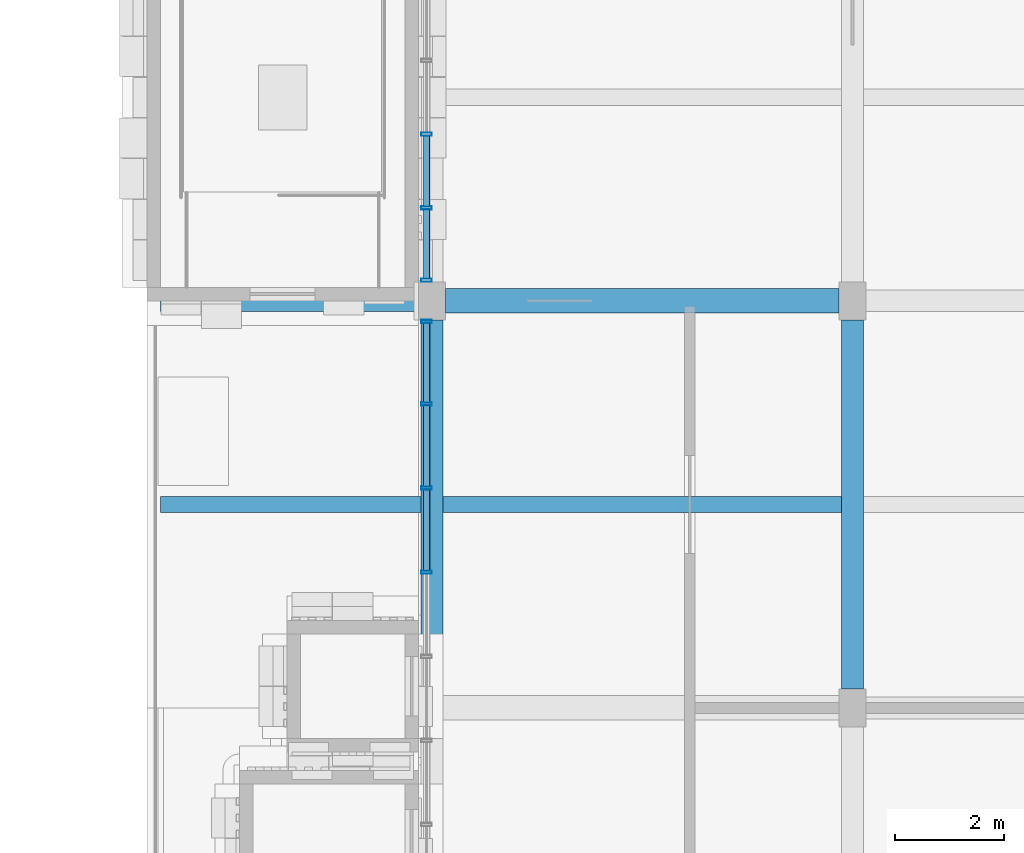
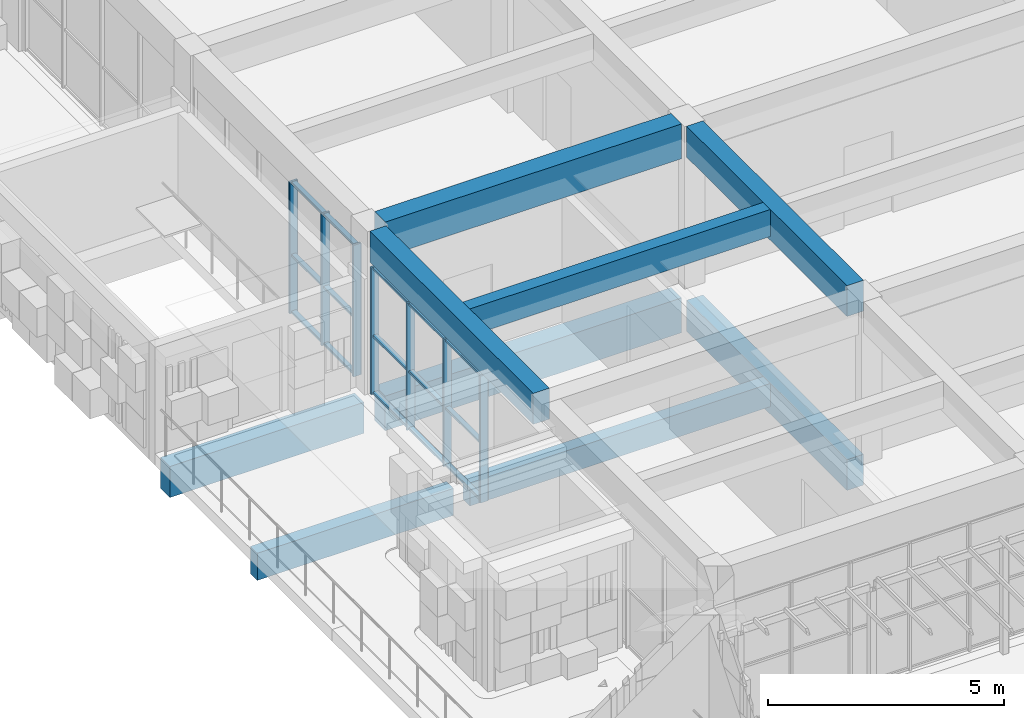
# One storey, part 7 of 26: 22 members, 9 beams, 2 elements without a shape of their own.
"""IFC4 building model written with IfcOpenShell, lengths in metres."""

from ifc_helpers import new_model, si_unit, direction, frame, origin, origin_2d, place, context, subcontext, project, spatial, rectangle, hollow_rectangle, extrude, material, material_profile, profile_set, type_object, element, aggregate, save


model = new_model("IFC4")

# Units and contexts
model_context = context("Model", 3, precision=1e-05, world=origin(), true_north=direction((0.0, 1.0)))
body_context = subcontext(model_context, "Body", "Model", "MODEL_VIEW")
ifc_project = project(units=[si_unit("LENGTHUNIT", "METRE"), si_unit("AREAUNIT", "SQUARE_METRE"), si_unit("VOLUMEUNIT", "CUBIC_METRE"), si_unit("PLANEANGLEUNIT", "RADIAN"), si_unit("MASSUNIT", "GRAM", prefix="KILO")], contexts=[model_context])

# Site, building, storey
site_placement = place(None, origin())
site = spatial("IfcSite", under=ifc_project, at=site_placement, CompositionType="ELEMENT")
building_placement = place(site_placement, origin())
building = spatial("IfcBuilding", under=site, at=building_placement, Name="Sun Court Science Centre", CompositionType="ELEMENT")
storey_placement = place(building_placement, frame((0.0, 0.0, 29.25)))
storey = spatial("IfcBuildingStorey", under=building, at=storey_placement, Name="L06", CompositionType="ELEMENT", Elevation=29.25)

# Curtain wall, members
ifc_material_1 = material(Name="Aluminium EN AW-6063 T6", Category="aluminium")
curtain_wall_type = type_object("IfcCurtainWallType", Name="Laboratory tall bay curtain wall 1500", PredefinedType="NOTDEFINED", material=ifc_material_1)
curtain_wall_1_placement = place(storey_placement, origin())
curtain_wall_1 = element("IfcCurtainWall", 1, at=curtain_wall_1_placement, inside=storey, type_object=curtain_wall_type, Name="Curtain wall V4 PW L06 01", PredefinedType="NOTDEFINED")
ifc_material_2 = material(Name="Aluminium EN AW-6063 T6", Category="aluminium")
ifc_material_profile_1 = material_profile(ifc_material_2, hollow_rectangle(XDim=0.06005859375, YDim=0.199951171875, WallThickness=0.0048828125, InnerFilletRadius=0.0048828125, OuterFilletRadius=0.007568359375, at=origin_2d()), Name="AL 60x200x5")
ifc_profile_set_1 = profile_set([ifc_material_profile_1], Name="Aluminium EN AW-6063 T6")
member_type_1 = type_object("IfcMemberType", Name="Curtain wall mullion AL 60x200", PredefinedType="MULLION", material=ifc_profile_set_1)
member_1_placement = place(storey_placement, frame((87.14990234375, 53.5, 0.0), z_axis=(0.0, 0.0, 1.0), x_axis=(0.0, 1.0, 0.0)))
member_1 = element("IfcMember", 2, at=member_1_placement, type_object=member_type_1, Name="CW2-78 mullion 7", PredefinedType="MULLION", context=body_context, shape_type="SweptSolid", body=[
    extrude(hollow_rectangle(XDim=0.06005859375, YDim=0.199951171875, WallThickness=0.0048828125, InnerFilletRadius=0.0048828125, OuterFilletRadius=0.007568359375, at=origin_2d()), origin(), (0.0, 0.0, 1.0), 3.280029296875),
])
member_2_placement = place(storey_placement, frame((87.14990234375, 55.050048828125, 0.0), z_axis=(0.0, 0.0, 1.0), x_axis=(0.0, 1.0, 0.0)))
member_2 = element("IfcMember", 3, at=member_2_placement, type_object=member_type_1, Name="CW2-78 mullion 8", PredefinedType="MULLION", context=body_context, shape_type="SweptSolid", body=[
    extrude(hollow_rectangle(XDim=0.06005859375, YDim=0.199951171875, WallThickness=0.0048828125, InnerFilletRadius=0.0048828125, OuterFilletRadius=0.007568359375, at=origin_2d()), origin(), (0.0, 0.0, 1.0), 3.280029296875),
])
member_3_placement = place(storey_placement, frame((87.14990234375, 56.60009765625, 0.0), z_axis=(0.0, 0.0, 1.0), x_axis=(0.0, 1.0, 0.0)))
member_3 = element("IfcMember", 4, at=member_3_placement, type_object=member_type_1, Name="CW2-78 mullion 9", PredefinedType="MULLION", context=body_context, shape_type="SweptSolid", body=[
    extrude(hollow_rectangle(XDim=0.06005859375, YDim=0.199951171875, WallThickness=0.0048828125, InnerFilletRadius=0.0048828125, OuterFilletRadius=0.007568359375, at=origin_2d()), origin(), (0.0, 0.0, 1.0), 3.280029296875),
])
member_4_placement = place(storey_placement, frame((87.14990234375, 58.1201171875, 0.0), z_axis=(0.0, 0.0, 1.0), x_axis=(0.0, 1.0, 0.0)))
member_4 = element("IfcMember", 5, at=member_4_placement, type_object=member_type_1, Name="CW2-78 mullion 10", PredefinedType="MULLION", context=body_context, shape_type="SweptSolid", body=[
    extrude(hollow_rectangle(XDim=0.06005859375, YDim=0.199951171875, WallThickness=0.0048828125, InnerFilletRadius=0.0048828125, OuterFilletRadius=0.007568359375, at=origin_2d()), origin(), (0.0, 0.0, 1.0), 3.280029296875),
])

curtain_wall_2_placement = place(storey_placement, origin())
curtain_wall_2 = element("IfcCurtainWall", 6, at=curtain_wall_2_placement, inside=storey, type_object=curtain_wall_type, Name="Curtain wall V4 PW L06 02", PredefinedType="NOTDEFINED")
member_5_placement = place(storey_placement, frame((87.14990234375, 58.8798828125, 0.0), z_axis=(0.0, 0.0, 1.0), x_axis=(0.0, 1.0, 0.0)))
member_5 = element("IfcMember", 7, at=member_5_placement, type_object=member_type_1, Name="CW2-79 mullion 1", PredefinedType="MULLION", context=body_context, shape_type="SweptSolid", body=[
    extrude(hollow_rectangle(XDim=0.06005859375, YDim=0.199951171875, WallThickness=0.0048828125, InnerFilletRadius=0.0048828125, OuterFilletRadius=0.007568359375, at=origin_2d()), origin(), (0.0, 0.0, 1.0), 3.39990234375),
])
member_6_placement = place(storey_placement, frame((87.14990234375, 60.2099609375, 0.0), z_axis=(0.0, 0.0, 1.0), x_axis=(0.0, 1.0, 0.0)))
member_6 = element("IfcMember", 8, at=member_6_placement, type_object=member_type_1, Name="CW2-79 mullion 2", PredefinedType="MULLION", context=body_context, shape_type="SweptSolid", body=[
    extrude(hollow_rectangle(XDim=0.06005859375, YDim=0.199951171875, WallThickness=0.0048828125, InnerFilletRadius=0.0048828125, OuterFilletRadius=0.007568359375, at=origin_2d()), origin(), (0.0, 0.0, 1.0), 3.39990234375),
])
member_7_placement = place(storey_placement, frame((87.14990234375, 61.570068359375, 0.0), z_axis=(0.0, 0.0, 1.0), x_axis=(0.0, 1.0, 0.0)))
member_7 = element("IfcMember", 9, at=member_7_placement, type_object=member_type_1, Name="CW2-79 mullion 3", PredefinedType="MULLION", context=body_context, shape_type="SweptSolid", body=[
    extrude(hollow_rectangle(XDim=0.06005859375, YDim=0.199951171875, WallThickness=0.0048828125, InnerFilletRadius=0.0048828125, OuterFilletRadius=0.007568359375, at=origin_2d()), origin(), (0.0, 0.0, 1.0), 3.39990234375),
])

# Member
ifc_material_3 = material(Name="Aluminium EN AW-6063 T6", Category="aluminium")
ifc_material_profile_2 = material_profile(ifc_material_3, hollow_rectangle(XDim=0.06005859375, YDim=0.1201171875, WallThickness=0.00390625, InnerFilletRadius=0.00390625, OuterFilletRadius=0.006103515625, at=origin_2d()), Name="AL 60x120x4")
ifc_profile_set_2 = profile_set([ifc_material_profile_2], Name="Aluminium EN AW-6063 T6")
member_type_2 = type_object("IfcMemberType", Name="Curtain wall transom AL 60x120", PredefinedType="USERDEFINED", material=ifc_profile_set_2)
member_8_placement = place(storey_placement, frame((87.14990234375, 53.530029296875, 0.030029296875), z_axis=(0.0, 1.0, 0.0), x_axis=(0.0, 0.0, 1.0)))
member_8 = element("IfcMember", 10, at=member_8_placement, type_object=member_type_2, Name="CW2-78 transom 7.1", ObjectType="TRANSOM", PredefinedType="USERDEFINED", context=body_context, shape_type="SweptSolid", body=[
    extrude(hollow_rectangle(XDim=0.06005859375, YDim=0.1201171875, WallThickness=0.00390625, InnerFilletRadius=0.00390625, OuterFilletRadius=0.006103515625, at=origin_2d()), origin(), (0.0, 0.0, 1.0), 1.489990234375),
])

member_9_placement = place(storey_placement, frame((87.14990234375, 55.080078125, 0.030029296875), z_axis=(0.0, 1.0, 0.0), x_axis=(0.0, 0.0, 1.0)))
member_9 = element("IfcMember", 11, at=member_9_placement, type_object=member_type_2, Name="CW2-78 transom 8.1", ObjectType="TRANSOM", PredefinedType="USERDEFINED", context=body_context, shape_type="SweptSolid", body=[
    extrude(hollow_rectangle(XDim=0.06005859375, YDim=0.1201171875, WallThickness=0.00390625, InnerFilletRadius=0.00390625, OuterFilletRadius=0.006103515625, at=origin_2d()), origin(), (0.0, 0.0, 1.0), 1.489990234375),
])

member_10_placement = place(storey_placement, frame((87.14990234375, 56.6298828125, 0.030029296875), z_axis=(0.0, 1.0, 0.0), x_axis=(0.0, 0.0, 1.0)))
member_10 = element("IfcMember", 12, at=member_10_placement, type_object=member_type_2, Name="CW2-78 transom 9.1", ObjectType="TRANSOM", PredefinedType="USERDEFINED", context=body_context, shape_type="SweptSolid", body=[
    extrude(hollow_rectangle(XDim=0.06005859375, YDim=0.1201171875, WallThickness=0.00390625, InnerFilletRadius=0.00390625, OuterFilletRadius=0.006103515625, at=origin_2d()), origin(), (0.0, 0.0, 1.0), 1.460205078125),
])

member_11_placement = place(storey_placement, frame((87.14990234375, 53.530029296875, 1.5), z_axis=(0.0, 1.0, 0.0), x_axis=(0.0, 0.0, 1.0)))
member_11 = element("IfcMember", 13, at=member_11_placement, type_object=member_type_2, Name="CW2-78 transom 7.2", ObjectType="TRANSOM", PredefinedType="USERDEFINED", context=body_context, shape_type="SweptSolid", body=[
    extrude(hollow_rectangle(XDim=0.06005859375, YDim=0.1201171875, WallThickness=0.00390625, InnerFilletRadius=0.00390625, OuterFilletRadius=0.006103515625, at=origin_2d()), origin(), (0.0, 0.0, 1.0), 1.489990234375),
])

member_12_placement = place(storey_placement, frame((87.14990234375, 55.080078125, 1.5), z_axis=(0.0, 1.0, 0.0), x_axis=(0.0, 0.0, 1.0)))
member_12 = element("IfcMember", 14, at=member_12_placement, type_object=member_type_2, Name="CW2-78 transom 8.2", ObjectType="TRANSOM", PredefinedType="USERDEFINED", context=body_context, shape_type="SweptSolid", body=[
    extrude(hollow_rectangle(XDim=0.06005859375, YDim=0.1201171875, WallThickness=0.00390625, InnerFilletRadius=0.00390625, OuterFilletRadius=0.006103515625, at=origin_2d()), origin(), (0.0, 0.0, 1.0), 1.489990234375),
])

member_13_placement = place(storey_placement, frame((87.14990234375, 56.6298828125, 1.5), z_axis=(0.0, 1.0, 0.0), x_axis=(0.0, 0.0, 1.0)))
member_13 = element("IfcMember", 15, at=member_13_placement, type_object=member_type_2, Name="CW2-78 transom 9.2", ObjectType="TRANSOM", PredefinedType="USERDEFINED", context=body_context, shape_type="SweptSolid", body=[
    extrude(hollow_rectangle(XDim=0.06005859375, YDim=0.1201171875, WallThickness=0.00390625, InnerFilletRadius=0.00390625, OuterFilletRadius=0.006103515625, at=origin_2d()), origin(), (0.0, 0.0, 1.0), 1.460205078125),
])

member_14_placement = place(storey_placement, frame((87.14990234375, 53.530029296875, 3.25), z_axis=(0.0, 1.0, 0.0), x_axis=(0.0, 0.0, 1.0)))
member_14 = element("IfcMember", 16, at=member_14_placement, type_object=member_type_2, Name="CW2-78 transom 7.3", ObjectType="TRANSOM", PredefinedType="USERDEFINED", context=body_context, shape_type="SweptSolid", body=[
    extrude(hollow_rectangle(XDim=0.06005859375, YDim=0.1201171875, WallThickness=0.00390625, InnerFilletRadius=0.00390625, OuterFilletRadius=0.006103515625, at=origin_2d()), origin(), (0.0, 0.0, 1.0), 1.489990234375),
])

member_15_placement = place(storey_placement, frame((87.14990234375, 55.080078125, 3.25), z_axis=(0.0, 1.0, 0.0), x_axis=(0.0, 0.0, 1.0)))
member_15 = element("IfcMember", 17, at=member_15_placement, type_object=member_type_2, Name="CW2-78 transom 8.3", ObjectType="TRANSOM", PredefinedType="USERDEFINED", context=body_context, shape_type="SweptSolid", body=[
    extrude(hollow_rectangle(XDim=0.06005859375, YDim=0.1201171875, WallThickness=0.00390625, InnerFilletRadius=0.00390625, OuterFilletRadius=0.006103515625, at=origin_2d()), origin(), (0.0, 0.0, 1.0), 1.489990234375),
])

member_16_placement = place(storey_placement, frame((87.14990234375, 56.6298828125, 3.25), z_axis=(0.0, 1.0, 0.0), x_axis=(0.0, 0.0, 1.0)))
member_16 = element("IfcMember", 18, at=member_16_placement, type_object=member_type_2, Name="CW2-78 transom 9.3", ObjectType="TRANSOM", PredefinedType="USERDEFINED", context=body_context, shape_type="SweptSolid", body=[
    extrude(hollow_rectangle(XDim=0.06005859375, YDim=0.1201171875, WallThickness=0.00390625, InnerFilletRadius=0.00390625, OuterFilletRadius=0.006103515625, at=origin_2d()), origin(), (0.0, 0.0, 1.0), 1.460205078125),
])

aggregate(curtain_wall_1, [member_1, member_2, member_3, member_4, member_8, member_9, member_10, member_11, member_12, member_13, member_14, member_15, member_16])

member_17_placement = place(storey_placement, frame((87.14990234375, 58.909912109375, 0.030029296875), z_axis=(0.0, 1.0, 0.0), x_axis=(0.0, 0.0, 1.0)))
member_17 = element("IfcMember", 19, at=member_17_placement, type_object=member_type_2, Name="CW2-79 transom 1.1", ObjectType="TRANSOM", PredefinedType="USERDEFINED", context=body_context, shape_type="SweptSolid", body=[
    extrude(hollow_rectangle(XDim=0.06005859375, YDim=0.1201171875, WallThickness=0.00390625, InnerFilletRadius=0.00390625, OuterFilletRadius=0.006103515625, at=origin_2d()), origin(), (0.0, 0.0, 1.0), 1.27001953125),
])

member_18_placement = place(storey_placement, frame((87.14990234375, 60.239990234375, 0.030029296875), z_axis=(0.0, 1.0, 0.0), x_axis=(0.0, 0.0, 1.0)))
member_18 = element("IfcMember", 20, at=member_18_placement, type_object=member_type_2, Name="CW2-79 transom 2.1", ObjectType="TRANSOM", PredefinedType="USERDEFINED", context=body_context, shape_type="SweptSolid", body=[
    extrude(hollow_rectangle(XDim=0.06005859375, YDim=0.1201171875, WallThickness=0.00390625, InnerFilletRadius=0.00390625, OuterFilletRadius=0.006103515625, at=origin_2d()), origin(), (0.0, 0.0, 1.0), 1.300048828125),
])

member_19_placement = place(storey_placement, frame((87.14990234375, 58.909912109375, 1.5), z_axis=(0.0, 1.0, 0.0), x_axis=(0.0, 0.0, 1.0)))
member_19 = element("IfcMember", 21, at=member_19_placement, type_object=member_type_2, Name="CW2-79 transom 1.2", ObjectType="TRANSOM", PredefinedType="USERDEFINED", context=body_context, shape_type="SweptSolid", body=[
    extrude(hollow_rectangle(XDim=0.06005859375, YDim=0.1201171875, WallThickness=0.00390625, InnerFilletRadius=0.00390625, OuterFilletRadius=0.006103515625, at=origin_2d()), origin(), (0.0, 0.0, 1.0), 1.27001953125),
])

member_20_placement = place(storey_placement, frame((87.14990234375, 60.239990234375, 1.5), z_axis=(0.0, 1.0, 0.0), x_axis=(0.0, 0.0, 1.0)))
member_20 = element("IfcMember", 22, at=member_20_placement, type_object=member_type_2, Name="CW2-79 transom 2.2", ObjectType="TRANSOM", PredefinedType="USERDEFINED", context=body_context, shape_type="SweptSolid", body=[
    extrude(hollow_rectangle(XDim=0.06005859375, YDim=0.1201171875, WallThickness=0.00390625, InnerFilletRadius=0.00390625, OuterFilletRadius=0.006103515625, at=origin_2d()), origin(), (0.0, 0.0, 1.0), 1.300048828125),
])

member_21_placement = place(storey_placement, frame((87.14990234375, 58.909912109375, 3.3701171875), z_axis=(0.0, 1.0, 0.0), x_axis=(0.0, 0.0, 1.0)))
member_21 = element("IfcMember", 23, at=member_21_placement, type_object=member_type_2, Name="CW2-79 transom 1.3", ObjectType="TRANSOM", PredefinedType="USERDEFINED", context=body_context, shape_type="SweptSolid", body=[
    extrude(hollow_rectangle(XDim=0.06005859375, YDim=0.1201171875, WallThickness=0.00390625, InnerFilletRadius=0.00390625, OuterFilletRadius=0.006103515625, at=origin_2d()), origin(), (0.0, 0.0, 1.0), 1.27001953125),
])

member_22_placement = place(storey_placement, frame((87.14990234375, 60.239990234375, 3.3701171875), z_axis=(0.0, 1.0, 0.0), x_axis=(0.0, 0.0, 1.0)))
member_22 = element("IfcMember", 24, at=member_22_placement, type_object=member_type_2, Name="CW2-79 transom 2.3", ObjectType="TRANSOM", PredefinedType="USERDEFINED", context=body_context, shape_type="SweptSolid", body=[
    extrude(hollow_rectangle(XDim=0.06005859375, YDim=0.1201171875, WallThickness=0.00390625, InnerFilletRadius=0.00390625, OuterFilletRadius=0.006103515625, at=origin_2d()), origin(), (0.0, 0.0, 1.0), 1.300048828125),
])

aggregate(curtain_wall_2, [member_5, member_6, member_7, member_17, member_18, member_19, member_20, member_21, member_22])

# Beams
ifc_material_4 = material(Name="Concrete C25/30", Category="concrete")
ifc_material_profile_3 = material_profile(ifc_material_4, rectangle(XDim=0.39990234375, YDim=0.800048828125, at=origin_2d()), Name="RC 400x800")
ifc_profile_set_3 = profile_set([ifc_material_profile_3], Name="Concrete C25/30")
beam_type_1 = type_object("IfcBeamType", Name="RC girder 400x800", PredefinedType="BEAM", material=ifc_profile_set_3)
beam_1_placement = place(storey_placement, frame((82.25, 58.5, -0.699951171875), z_axis=(1.0, 0.0, 0.0), x_axis=(0.0, 1.0, 0.0)))
element("IfcBeam", 25, at=beam_1_placement, inside=storey, type_object=beam_type_1, Name="Girder L06 row 5", PredefinedType="BEAM", context=body_context, shape_type="SweptSolid", body=[
    extrude(rectangle(XDim=0.39990234375, YDim=0.800048828125, at=origin_2d()), origin(), (0.0, 0.0, 1.0), 4.75),
])
beam_2_placement = place(storey_placement, frame((95.0, 51.35009765625, -0.699951171875), z_axis=(0.0, 1.0, 0.0), x_axis=(-1.0, 0.0, 0.0)))
element("IfcBeam", 26, at=beam_2_placement, inside=storey, type_object=beam_type_1, Name="Girder L06 line 2", PredefinedType="BEAM", context=body_context, shape_type="SweptSolid", body=[
    extrude(rectangle(XDim=0.39990234375, YDim=0.800048828125, at=origin_2d()), origin(), (0.0, 0.0, 1.0), 6.7998046875),
])
beam_3_placement = place(storey_placement, frame((87.25, 51.22509765625, 3.800048828125), z_axis=(0.0, 1.0, 0.0), x_axis=(-1.0, 0.0, 0.0)))
element("IfcBeam", 27, at=beam_3_placement, inside=storey, type_object=beam_type_1, Name="Girder L06P line 1", PredefinedType="BEAM", context=body_context, shape_type="SweptSolid", body=[
    extrude(rectangle(XDim=0.39990234375, YDim=0.800048828125, at=origin_2d()), origin(), (0.0, 0.0, 1.0), 6.9248046875),
])
beam_4_placement = place(storey_placement, frame((95.0, 51.35009765625, 3.800048828125), z_axis=(0.0, 1.0, 0.0), x_axis=(-1.0, 0.0, 0.0)))
element("IfcBeam", 28, at=beam_4_placement, inside=storey, type_object=beam_type_1, Name="Girder L06P line 2", PredefinedType="BEAM", context=body_context, shape_type="SweptSolid", body=[
    extrude(rectangle(XDim=0.39990234375, YDim=0.800048828125, at=origin_2d()), origin(), (0.0, 0.0, 1.0), 6.7998046875),
])
ifc_material_5 = material(Name="Concrete C25/30", Category="concrete")
ifc_material_profile_4 = material_profile(ifc_material_5, rectangle(XDim=0.449951171875, YDim=0.89990234375, at=origin_2d()), Name="RC 450x900")
ifc_profile_set_4 = profile_set([ifc_material_profile_4], Name="Concrete C25/30")
beam_type_2 = type_object("IfcBeamType", Name="RC girder 450x900", PredefinedType="BEAM", material=ifc_profile_set_4)
for number, where, z_axis, x_axis, name in (
    (29, (87.5, 58.5, -0.75), (1.0, 0.0, 0.0), (0.0, 1.0, 0.0), "Girder L06 row 5"),
    (30, (87.5, 58.5, 3.75), (1.0, 0.0, 0.0), (0.0, 1.0, 0.0), "Girder L06P row 3"),
):
    element("IfcBeam", number, at=place(storey_placement, frame(where, z_axis=z_axis, x_axis=x_axis)), inside=storey, type_object=beam_type_2, Name=name, PredefinedType="BEAM", context=body_context, shape_type="SweptSolid", body=[
        extrude(rectangle(XDim=0.449951171875, YDim=0.89990234375, at=origin_2d()), origin(), (0.0, 0.0, 1.0), 7.25),
    ])
ifc_material_6 = material(Name="Concrete C25/30", Category="concrete")
ifc_material_profile_5 = material_profile(ifc_material_6, rectangle(XDim=0.300048828125, YDim=0.60009765625, at=origin_2d()), Name="RC 300x600")
ifc_profile_set_5 = profile_set([ifc_material_profile_5], Name="Concrete C25/30")
beam_type_3 = type_object("IfcBeamType", Name="RC joist 300x600", PredefinedType="JOIST", material=ifc_profile_set_5)
beam_5_placement = place(storey_placement, frame((87.449951171875, 54.75, -0.60009765625), z_axis=(1.0, 0.0, 0.0), x_axis=(0.0, 1.0, 0.0)))
element("IfcBeam", 31, at=beam_5_placement, inside=storey, type_object=beam_type_3, Name="Joist L06", PredefinedType="JOIST", context=body_context, shape_type="SweptSolid", body=[
    extrude(rectangle(XDim=0.300048828125, YDim=0.60009765625, at=origin_2d()), origin(), (0.0, 0.0, 1.0), 7.35009765625),
])
ifc_material_7 = material(Name="Concrete C25/30", Category="concrete")
ifc_material_profile_6 = material_profile(ifc_material_7, rectangle(XDim=0.300048828125, YDim=0.699951171875, at=origin_2d()), Name="RC 300x700")
ifc_profile_set_6 = profile_set([ifc_material_profile_6], Name="Concrete C25/30")
beam_type_4 = type_object("IfcBeamType", Name="RC joist 300x700", PredefinedType="JOIST", material=ifc_profile_set_6)
beam_6_placement = place(storey_placement, frame((82.25, 54.75, -0.64990234375), z_axis=(1.0, 0.0, 0.0), x_axis=(0.0, 1.0, 0.0)))
element("IfcBeam", 32, at=beam_6_placement, inside=storey, type_object=beam_type_4, Name="Joist L06", PredefinedType="JOIST", context=body_context, shape_type="SweptSolid", body=[
    extrude(rectangle(XDim=0.300048828125, YDim=0.699951171875, at=origin_2d()), origin(), (0.0, 0.0, 1.0), 4.800048828125),
])
beam_7_placement = place(storey_placement, frame((87.449951171875, 54.75, 3.85009765625), z_axis=(1.0, 0.0, 0.0), x_axis=(0.0, 1.0, 0.0)))
element("IfcBeam", 33, at=beam_7_placement, inside=storey, type_object=beam_type_4, Name="Joist L06P", PredefinedType="JOIST", context=body_context, shape_type="SweptSolid", body=[
    extrude(rectangle(XDim=0.300048828125, YDim=0.699951171875, at=origin_2d()), origin(), (0.0, 0.0, 1.0), 7.35009765625),
])

save(model, "model.ifc")
